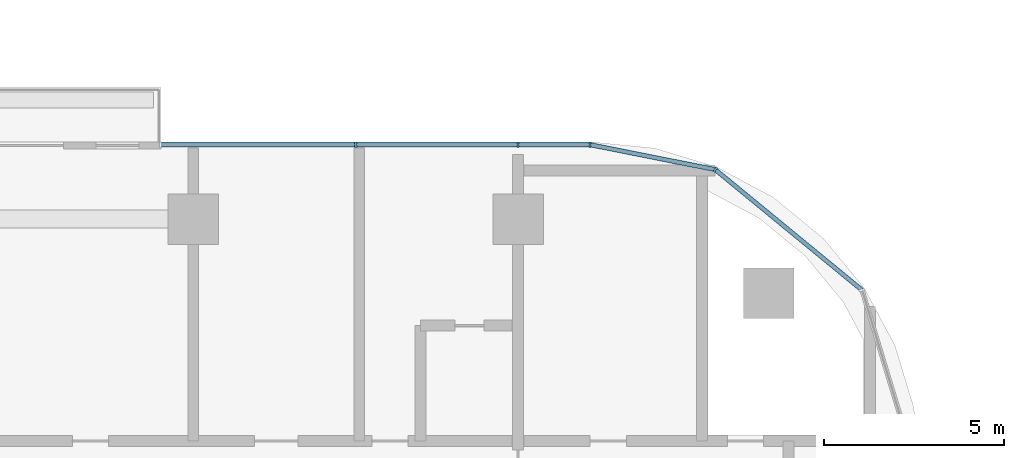
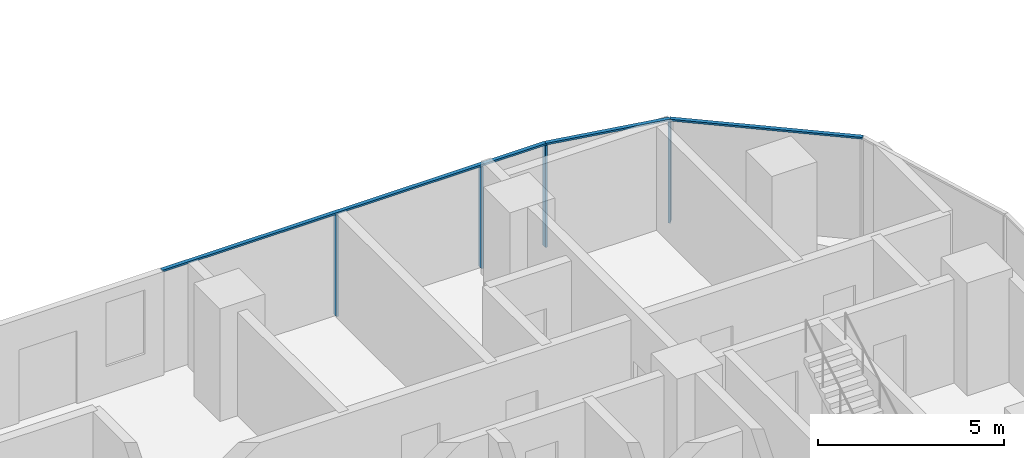
# One storey, part 5 of 32: 7 members, 2 elements without a shape of their own.
"""IFC4 building model written with IfcOpenShell, lengths in metres."""

from ifc_helpers import new_model, si_unit, direction, frame, origin, origin_2d, place, context, subcontext, project, spatial, rectangle, extrude, material, material_profile, profile_set, type_object, element, aggregate, save


model = new_model("IFC4")

# Units and contexts
model_context = context("Model", 3, precision=1e-05, world=origin(), true_north=direction((0.0, 1.0)))
body_context = subcontext(model_context, "Body", "Model", "MODEL_VIEW")
ifc_project = project(units=[si_unit("LENGTHUNIT", "METRE"), si_unit("AREAUNIT", "SQUARE_METRE"), si_unit("VOLUMEUNIT", "CUBIC_METRE"), si_unit("PLANEANGLEUNIT", "RADIAN"), si_unit("MASSUNIT", "GRAM", prefix="KILO")], contexts=[model_context])

# Site, building, storey
site_placement = place(None, origin())
site = spatial("IfcSite", under=ifc_project, at=site_placement, CompositionType="ELEMENT")
building_placement = place(site_placement, origin())
building = spatial("IfcBuilding", under=site, at=building_placement, Name="Ogive Portal Towers", CompositionType="ELEMENT")
storey_placement = place(building_placement, frame((0.0, 0.0, 55.699951171875)))
storey = spatial("IfcBuildingStorey", under=building, at=storey_placement, Name="L12", CompositionType="ELEMENT", Elevation=55.699951171875)

# Curtain wall, members
ifc_material_1 = material(Name="Glass, clear low-iron insulated glazing", Category="glass")
curtain_wall_type = type_object("IfcCurtainWallType", Name="CW FRONT RIBBON 4500", PredefinedType="NOTDEFINED", material=ifc_material_1)
curtain_wall_1_placement = place(storey_placement, origin())
curtain_wall_1 = element("IfcCurtainWall", 1, at=curtain_wall_1_placement, inside=storey, type_object=curtain_wall_type, Name="A:L12:f16:cw0", PredefinedType="NOTDEFINED")
ifc_material_2 = material(Name="Aluminium 6063 anodised", Category="aluminium")
ifc_material_profile_1 = material_profile(ifc_material_2, rectangle(XDim=0.159912109375, YDim=0.06005859375, at=origin_2d()), Name="AL 60x160")
ifc_profile_set_1 = profile_set([ifc_material_profile_1], Name="Aluminium 6063 anodised")
member_type_1 = type_object("IfcMemberType", Name="CW MULLION 60x160", PredefinedType="MULLION", material=ifc_profile_set_1)
member_1_placement = place(storey_placement, frame((87.4921875, 41.56494140625, 0.0), z_axis=(0.0, 0.0, 1.0), x_axis=(0.0, -1.0, 0.0)))
member_1 = element("IfcMember", 2, at=member_1_placement, type_object=member_type_1, Name="mullion", PredefinedType="MULLION", context=body_context, shape_type="SweptSolid", body=[
    extrude(rectangle(XDim=0.159912109375, YDim=0.06005859375, at=origin_2d()), origin(), (0.0, 0.0, 1.0), 3.340087890625),
])
member_2_placement = place(storey_placement, frame((85.5, 41.56494140625, 0.0), z_axis=(0.0, 0.0, 1.0), x_axis=(0.0, -1.0, 0.0)))
member_2 = element("IfcMember", 3, at=member_2_placement, type_object=member_type_1, Name="mullion", PredefinedType="MULLION", context=body_context, shape_type="SweptSolid", body=[
    extrude(rectangle(XDim=0.159912109375, YDim=0.06005859375, at=origin_2d()), origin(), (0.0, 0.0, 1.0), 3.340087890625),
])
member_3_placement = place(storey_placement, frame((81.0, 41.56494140625, 0.0), z_axis=(0.0, 0.0, 1.0), x_axis=(0.0, -1.0, 0.0)))
member_3 = element("IfcMember", 4, at=member_3_placement, type_object=member_type_1, Name="mullion", PredefinedType="MULLION", context=body_context, shape_type="SweptSolid", body=[
    extrude(rectangle(XDim=0.159912109375, YDim=0.06005859375, at=origin_2d()), origin(), (0.0, 0.0, 1.0), 3.340087890625),
])

# Curtain wall, member
curtain_wall_2_placement = place(storey_placement, origin())
curtain_wall_2 = element("IfcCurtainWall", 5, at=curtain_wall_2_placement, inside=storey, type_object=curtain_wall_type, Name="A:L12:f13:cwa", PredefinedType="NOTDEFINED")
member_4_placement = place(storey_placement, frame((90.96435546875, 40.874267578125, 0.0), z_axis=(0.0, 0.0, 1.0), x_axis=(-0.634393284164, -0.773010453363, 0.0)))
member_4 = element("IfcMember", 6, at=member_4_placement, type_object=member_type_1, Name="mullion", PredefinedType="MULLION", context=body_context, shape_type="SweptSolid", body=[
    extrude(rectangle(XDim=0.159912109375, YDim=0.06005859375, at=origin_2d()), origin(), (0.0, 0.0, 1.0), 3.340087890625),
])

# Member
ifc_material_profile_2 = material_profile(ifc_material_2, rectangle(XDim=0.1201171875, YDim=0.06005859375, at=origin_2d()), Name="AL 120x60")
ifc_profile_set_2 = profile_set([ifc_material_profile_2], Name="Aluminium 6063 anodised")
member_type_2 = type_object("IfcMemberType", Name="CW TRANSOM 60x120", PredefinedType="USERDEFINED", material=ifc_profile_set_2)
member_5_placement = place(storey_placement, frame((87.4921875, 41.56494140625, 3.3701171875), z_axis=(-1.0, 0.0, 0.0), x_axis=(0.0, -1.0, 0.0)))
member_5 = element("IfcMember", 7, at=member_5_placement, type_object=member_type_2, Name="transom", ObjectType="TRANSOM", PredefinedType="USERDEFINED", context=body_context, shape_type="SweptSolid", body=[
    extrude(rectangle(XDim=0.1201171875, YDim=0.06005859375, at=origin_2d()), origin(), (0.0, 0.0, 1.0), 11.900146484375),
])

aggregate(curtain_wall_1, [member_5, member_1, member_2, member_3])

member_6_placement = place(storey_placement, frame((95.0341796875, 37.5341796875, 3.3701171875), z_axis=(-0.773003982505, 0.634401168845, 0.0), x_axis=(-0.634401168845, -0.773003982505, 0.0)))
member_6 = element("IfcMember", 8, at=member_6_placement, type_object=member_type_2, Name="transom", ObjectType="TRANSOM", PredefinedType="USERDEFINED", context=body_context, shape_type="SweptSolid", body=[
    extrude(rectangle(XDim=0.1201171875, YDim=0.06005859375, at=origin_2d()), origin(), (0.0, 0.0, 1.0), 5.264892578125),
])

member_7_placement = place(storey_placement, frame((90.96435546875, 40.874267578125, 3.3701171875), z_axis=(-0.980784379, 0.195094853621, 0.0), x_axis=(-0.195094853621, -0.980784379, 0.0)))
member_7 = element("IfcMember", 9, at=member_7_placement, type_object=member_type_2, Name="transom", ObjectType="TRANSOM", PredefinedType="USERDEFINED", context=body_context, shape_type="SweptSolid", body=[
    extrude(rectangle(XDim=0.1201171875, YDim=0.06005859375, at=origin_2d()), origin(), (0.0, 0.0, 1.0), 3.540283203125),
])

aggregate(curtain_wall_2, [member_6, member_7, member_4])

save(model, "model.ifc")
